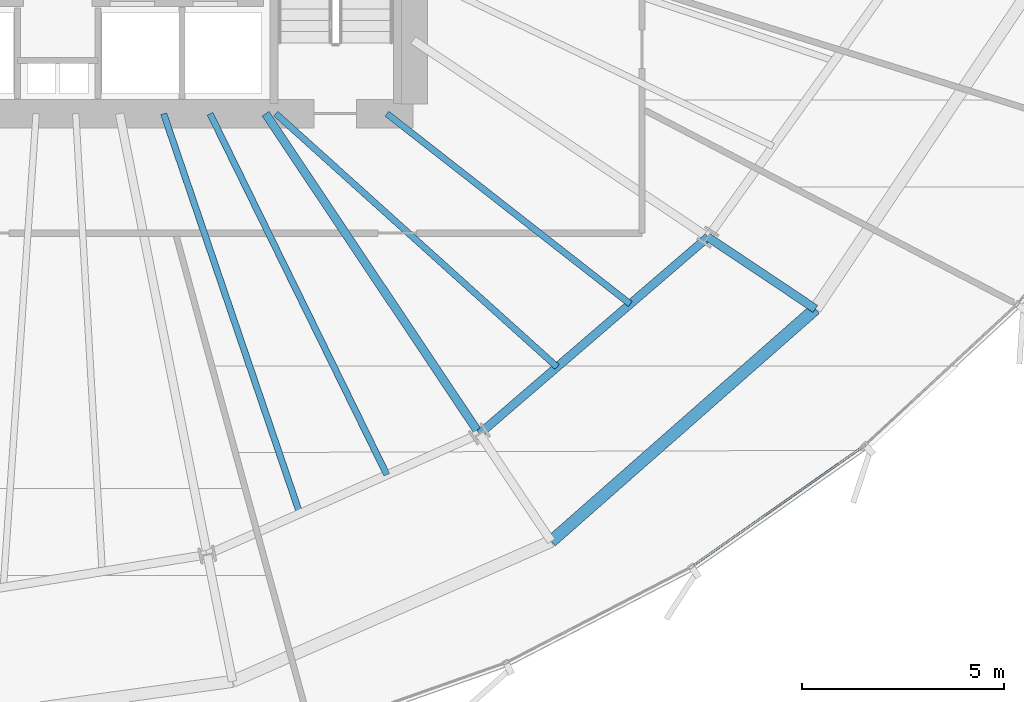
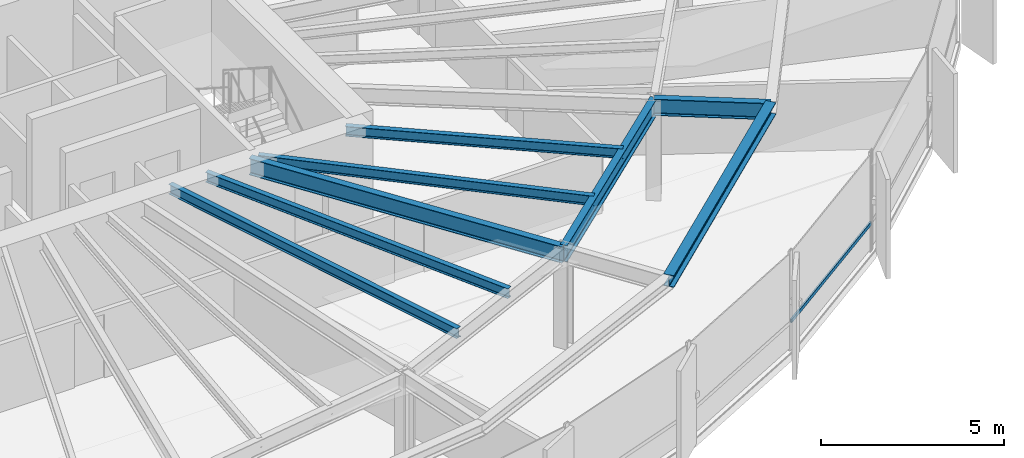
# One storey, part 12 of 35: 8 beams, 1 member, 1 element without a shape of its own.
"""IFC4 building model written with IfcOpenShell, lengths in metres."""

from ifc_helpers import new_model, si_unit, direction, frame, origin, origin_2d, place, context, subcontext, project, spatial, hollow_rectangle, i_section, extrude, source, transform, mapped, material, layer, layer_set, material_profile, profile_set, type_object, element, aggregate, save


model = new_model("IFC4")

# Units and contexts
model_context = context("Model", 3, precision=1e-05, world=origin(), true_north=direction((0.0, 1.0)))
body_context = subcontext(model_context, "Body", "Model", "MODEL_VIEW")
ifc_project = project(units=[si_unit("LENGTHUNIT", "METRE"), si_unit("AREAUNIT", "SQUARE_METRE"), si_unit("VOLUMEUNIT", "CUBIC_METRE"), si_unit("PLANEANGLEUNIT", "RADIAN"), si_unit("MASSUNIT", "GRAM", prefix="KILO"), si_unit("THERMODYNAMICTEMPERATUREUNIT", "KELVIN")], contexts=[model_context])

# Site, building, storey
site_placement = place(None, origin())
site = spatial("IfcSite", under=ifc_project, at=site_placement, CompositionType="ELEMENT")
building_placement = place(site_placement, origin())
building = spatial("IfcBuilding", under=site, at=building_placement, Name="Kethvar Cultural Tower", CompositionType="ELEMENT")
storey_placement = place(building_placement, frame((0.0, 0.0, 96.39990234375)))
storey = spatial("IfcBuildingStorey", under=building, at=storey_placement, Name="L23", CompositionType="ELEMENT", Elevation=96.39990234375)

# Beams
ifc_material_1 = material(Name="Steel S355J2", Category="steel")
ifc_material_profile_1 = material_profile(ifc_material_1, i_section(OverallWidth=0.2099609375, OverallDepth=0.550048828125, WebThickness=0.010986328125, FlangeThickness=0.01708984375, FilletRadius=0.02392578125, at=origin_2d()), Name="Steel S355J2 — IPE550")
ifc_profile_set_1 = profile_set([ifc_material_profile_1], Name="Steel S355J2 — IPE550")
beam_type_1 = type_object("IfcBeamType", Name="BM-IPE550", PredefinedType="BEAM", material=ifc_profile_set_1)
shared_shape_1 = source(origin(), body_context, "Body", "SweptSolid", [
    extrude(i_section(OverallWidth=0.2099609375, OverallDepth=0.550048828125, WebThickness=0.010986328125, FlangeThickness=0.01708984375, FilletRadius=0.02392578125, at=origin_2d()), origin(), (0.0, 0.0, 1.0), 3.199951171875),
])
beam_1_placement = place(storey_placement, frame((62.898681640625, 17.043212890625, 3.072998046875), z_axis=(0.831462943996, -0.555580212716, 0.0), x_axis=(0.555580212716, 0.831462943996, 0.0)))
element("IfcBeam", 1, at=beam_1_placement, inside=storey, type_object=beam_type_1, Name="L23 Perimeter Cantilever Beam RC-15", PredefinedType="BEAM", context=body_context, shape_type="MappedRepresentation", body=[
    mapped(shared_shape_1, transform((0.0, 0.0, 0.0), scale=1.0)),
])
shared_shape_2 = source(origin(), body_context, "Body", "SweptSolid", [
    extrude(i_section(OverallWidth=0.2099609375, OverallDepth=0.550048828125, WebThickness=0.010986328125, FlangeThickness=0.01708984375, FilletRadius=0.02392578125, at=origin_2d()), origin(), (0.0, 0.0, 1.0), 9.534423828125),
])
beam_2_placement = place(storey_placement, frame((51.945068359375, 20.10009765625, 3.072998046875), z_axis=(0.555550817894, -0.831482584747, 0.0), x_axis=(0.831482584747, 0.555550817894, 0.0)))
element("IfcBeam", 2, at=beam_2_placement, inside=storey, type_object=beam_type_1, Name="L23 Primary Radial Beam RB-14", PredefinedType="BEAM", context=body_context, shape_type="MappedRepresentation", body=[
    mapped(shared_shape_2, transform((0.0, 0.0, 0.0), scale=1.0)),
])
ifc_material_profile_2 = material_profile(ifc_material_1, i_section(OverallWidth=0.159912109375, OverallDepth=0.330078125, WebThickness=0.007568359375, FlangeThickness=0.011474609375, FilletRadius=0.01806640625, at=origin_2d()), Name="Steel S355J2 — IPE330")
ifc_profile_set_2 = profile_set([ifc_material_profile_2], Name="Steel S355J2 — IPE330")
beam_type_2 = type_object("IfcBeamType", Name="BM-J330", PredefinedType="JOIST", material=ifc_profile_set_2)
shared_shape_3 = source(origin(), body_context, "Body", "SweptSolid", [
    extrude(i_section(OverallWidth=0.159912109375, OverallDepth=0.330078125, WebThickness=0.007568359375, FlangeThickness=0.011474609375, FilletRadius=0.01806640625, at=origin_2d()), origin(), (0.0, 0.0, 1.0), 10.45947265625),
])
beam_3_placement = place(storey_placement, frame((49.42236328125, 20.10009765625, 3.18310546875), z_axis=(0.322390188368, -0.94660687006, 0.0), x_axis=(0.94660687006, 0.322390188368, 0.0)))
element("IfcBeam", 3, at=beam_3_placement, inside=storey, type_object=beam_type_2, Name="L23 Composite Floor Joist J-13A", PredefinedType="JOIST", context=body_context, shape_type="MappedRepresentation", body=[
    mapped(shared_shape_3, transform((0.0, 0.0, 0.0), scale=1.0)),
])
shared_shape_4 = source(origin(), body_context, "Body", "SweptSolid", [
    extrude(i_section(OverallWidth=0.159912109375, OverallDepth=0.330078125, WebThickness=0.007568359375, FlangeThickness=0.011474609375, FilletRadius=0.01806640625, at=origin_2d()), origin(), (0.0, 0.0, 1.0), 9.959228515625),
])
beam_4_placement = place(storey_placement, frame((50.57080078125, 20.10009765625, 3.18310546875), z_axis=(0.439785134514, -0.898103020516, 0.0), x_axis=(0.898103020516, 0.439785134514, 0.0)))
element("IfcBeam", 4, at=beam_4_placement, inside=storey, type_object=beam_type_2, Name="L23 Composite Floor Joist J-13B", PredefinedType="JOIST", context=body_context, shape_type="MappedRepresentation", body=[
    mapped(shared_shape_4, transform((0.0, 0.0, 0.0), scale=1.0)),
])
shared_shape_5 = source(origin(), body_context, "Body", "SweptSolid", [
    extrude(i_section(OverallWidth=0.2099609375, OverallDepth=0.550048828125, WebThickness=0.010986328125, FlangeThickness=0.01708984375, FilletRadius=0.02392578125, at=origin_2d()), origin(), (0.0, 0.0, 1.0), 7.46484375),
])
beam_5_placement = place(storey_placement, frame((57.241943359375, 12.17236328125, 3.072998046875), z_axis=(0.757784075291, 0.652505398625, 0.0), x_axis=(-0.652505398625, 0.757784075291, 0.0)))
element("IfcBeam", 5, at=beam_5_placement, inside=storey, type_object=beam_type_1, Name="L23 Column Ring Tie Beam CR-14", PredefinedType="BEAM", context=body_context, shape_type="MappedRepresentation", body=[
    mapped(shared_shape_5, transform((0.0, 0.0, 0.0), scale=1.0)),
])
ifc_material_profile_3 = material_profile(ifc_material_1, i_section(OverallWidth=0.300048828125, OverallDepth=0.39990234375, WebThickness=0.013427734375, FlangeThickness=0.02392578125, FilletRadius=0.027099609375, at=origin_2d()), Name="Steel S355J2 — HEB400")
ifc_profile_set_3 = profile_set([ifc_material_profile_3], Name="Steel S355J2 — HEB400")
beam_type_3 = type_object("IfcBeamType", Name="BM-SP400", PredefinedType="SPANDREL", material=ifc_profile_set_3)
shared_shape_6 = source(origin(), body_context, "Body", "SweptSolid", [
    extrude(i_section(OverallWidth=0.300048828125, OverallDepth=0.39990234375, WebThickness=0.013427734375, FlangeThickness=0.02392578125, FilletRadius=0.027099609375, at=origin_2d()), origin(), (0.0, 0.0, 1.0), 8.71044921875),
])
beam_6_placement = place(storey_placement, frame((59.019775390625, 9.51171875, 3.148193359375), z_axis=(0.75077856833, 0.660553965498, 0.0), x_axis=(-0.660553965498, 0.75077856833, 0.0)))
element("IfcBeam", 6, at=beam_6_placement, inside=storey, type_object=beam_type_3, Name="L23 Perimeter Spandrel Beam SP-14", PredefinedType="SPANDREL", context=body_context, shape_type="MappedRepresentation", body=[
    mapped(shared_shape_6, transform((0.0, 0.0, 0.0), scale=1.0)),
])
shared_shape_7 = source(origin(), body_context, "Body", "SweptSolid", [
    extrude(i_section(OverallWidth=0.159912109375, OverallDepth=0.330078125, WebThickness=0.007568359375, FlangeThickness=0.011474609375, FilletRadius=0.01806640625, at=origin_2d()), origin(), (0.0, 0.0, 1.0), 9.372802734375),
])
beam_7_placement = place(storey_placement, frame((52.199951171875, 20.10009765625, 3.18310546875), z_axis=(0.743151656479, -0.669123019685, 0.0), x_axis=(0.669123019685, 0.743151656479, 0.0)))
element("IfcBeam", 7, at=beam_7_placement, inside=storey, type_object=beam_type_2, Name="L23 Composite Floor Joist J-14A", PredefinedType="JOIST", context=body_context, shape_type="MappedRepresentation", body=[
    mapped(shared_shape_7, transform((0.0, 0.0, 0.0), scale=1.0)),
])
shared_shape_8 = source(origin(), body_context, "Body", "SweptSolid", [
    extrude(i_section(OverallWidth=0.159912109375, OverallDepth=0.330078125, WebThickness=0.007568359375, FlangeThickness=0.011474609375, FilletRadius=0.01806640625, at=origin_2d()), origin(), (0.0, 0.0, 1.0), 7.649658203125),
])
beam_8_placement = place(storey_placement, frame((54.949951171875, 20.10009765625, 3.18310546875), z_axis=(0.787671994752, -0.616094821179, 0.0), x_axis=(0.616094821179, 0.787671994752, 0.0)))
element("IfcBeam", 8, at=beam_8_placement, inside=storey, type_object=beam_type_2, Name="L23 Composite Floor Joist J-14B", PredefinedType="JOIST", context=body_context, shape_type="MappedRepresentation", body=[
    mapped(shared_shape_8, transform((0.0, 0.0, 0.0), scale=1.0)),
])

# Curtain wall, member
ifc_material_2 = material(Name="Aluminium 6063-T6", Category="aluminium")
ifc_layer = layer(ifc_material_2, 0.179931640625, Name="Aluminium 6063-T6", Category="aluminium")
ifc_layer_set = layer_set([ifc_layer], Name="Aluminium 6063-T6 (180 mm)")
curtain_wall_type = type_object("IfcCurtainWallType", Name="CW-SYS-03-Z2", PredefinedType="NOTDEFINED", material=ifc_layer_set)
curtain_wall_placement = place(storey_placement, origin())
curtain_wall = element("IfcCurtainWall", 9, at=curtain_wall_placement, inside=storey, type_object=curtain_wall_type, Name="L23 Curtain Wall Run 05", PredefinedType="NOTDEFINED")
ifc_material_profile_4 = material_profile(ifc_material_2, hollow_rectangle(XDim=0.054931640625, YDim=0.1201171875, WallThickness=0.00390625, at=origin_2d()), Name="Aluminium 6063-T6 — RHS120x55x4")
ifc_profile_set_4 = profile_set([ifc_material_profile_4], Name="Aluminium 6063-T6 — RHS120x55x4")
member_type = type_object("IfcMemberType", Name="CW-SYS-03-Z2-TRN", PredefinedType="USERDEFINED", material=ifc_profile_set_4)
shared_shape_9 = source(origin(), body_context, "Body", "SweptSolid", [
    extrude(hollow_rectangle(XDim=0.054931640625, YDim=0.1201171875, WallThickness=0.00390625, at=origin_2d()), origin(), (0.0, 0.0, 1.0), 5.1376953125),
])
member_placement = place(storey_placement, frame((62.526611328125, 8.903564453125, 0.9501953125), z_axis=(0.818823165174, 0.574045838042, 0.0), x_axis=(-0.574045838042, 0.818823165174, 0.0)))
member = element("IfcMember", 10, at=member_placement, type_object=member_type, Name="CW-L23-R05 Transom 6", ObjectType="TRANSOM", PredefinedType="USERDEFINED", context=body_context, shape_type="MappedRepresentation", body=[
    mapped(shared_shape_9, transform((0.0, 0.0, 0.0), scale=1.0)),
])
aggregate(curtain_wall, [member])

save(model, "model.ifc")
